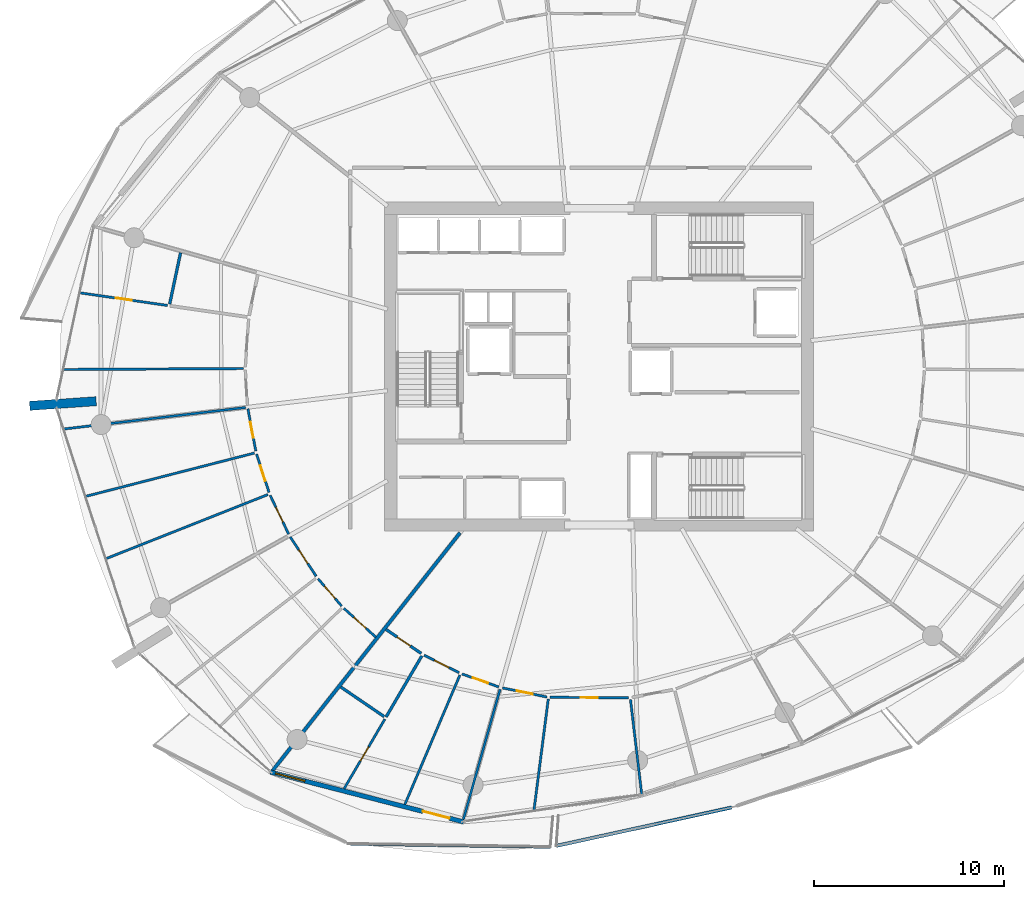
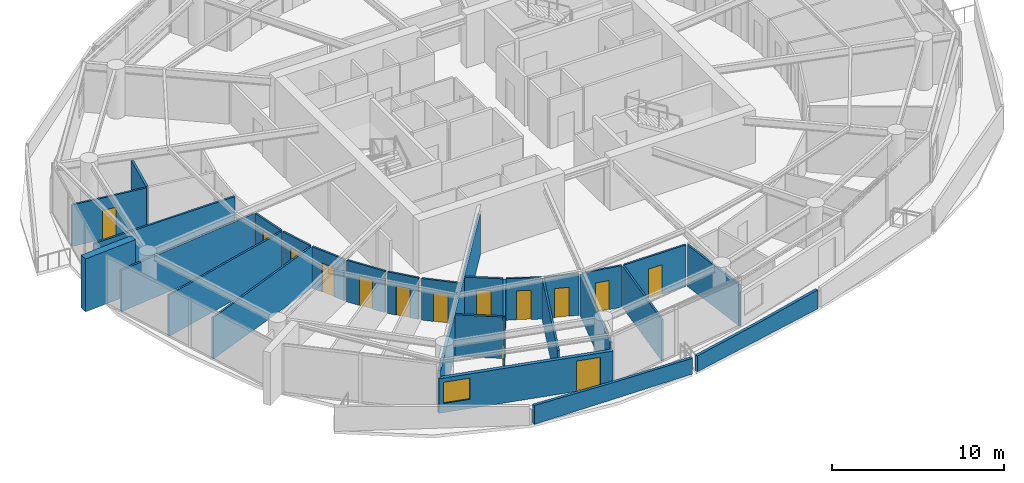
# One storey, part 11 of 21: 29 walls, 14 doors, 1 window, 15 openings.
"""IFC4 building model written with IfcOpenShell, lengths in metres."""

from ifc_helpers import new_model, si_unit, direction, frame, frame_2d, origin, place, context, subcontext, project, spatial, polyline, rectangle, outline, extrude, material, layer, layer_set, type_object, element, fill, save


model = new_model("IFC4")

# Units and contexts
model_context = context("Model", 3, precision=1e-05, world=origin(), true_north=direction((0.0, 1.0)))
body_context = subcontext(model_context, "Body", "Model", "MODEL_VIEW")
ifc_project = project(units=[si_unit("LENGTHUNIT", "METRE"), si_unit("AREAUNIT", "SQUARE_METRE"), si_unit("VOLUMEUNIT", "CUBIC_METRE"), si_unit("PLANEANGLEUNIT", "RADIAN"), si_unit("MASSUNIT", "GRAM", prefix="KILO")], contexts=[model_context])

# Site, building, storey
site_placement = place(None, origin())
site = spatial("IfcSite", under=ifc_project, at=site_placement, CompositionType="ELEMENT")
building_placement = place(site_placement, origin())
building = spatial("IfcBuilding", under=site, at=building_placement, Name="Kazma Halo Residences", CompositionType="ELEMENT")
storey_placement = place(building_placement, frame((0.0, 0.0, 187.800048828125)))
storey = spatial("IfcBuildingStorey", under=building, at=storey_placement, Name="L47", CompositionType="ELEMENT", Elevation=187.800048828125)

# Walls
ifc_material_1 = material(Name="White Concrete C50/60 Balustrade", Category="concrete")
ifc_layer_1 = layer(ifc_material_1, 0.179931640625)
ifc_layer_set_1 = layer_set([ifc_layer_1], Name="White Concrete C50/60 Balustrade")
wall_type_1 = type_object("IfcWallType", Name="WL-BAL-WAVE-180", PredefinedType="PARAPET", material=ifc_layer_set_1)
wall_1_placement = place(storey_placement, frame((35.343994140625, 16.924072265625, 0.0), z_axis=(0.0, 0.0, 1.0), x_axis=(0.999879009424, -0.015555272861, 0.0)))
element("IfcWall", 1, at=wall_1_placement, inside=storey, type_object=wall_type_1, Name="L47 white wave balustrade wall SW.2", PredefinedType="PARAPET", context=body_context, shape_type="SweptSolid", body=[
    extrude(outline(polyline([(0.0, 0.0), (10.515625, 0.0), (10.515625, 1.119873046875), (5.2578125, 1.181884765625), (0.0, 1.347900390625), (0.0, 0.0)])), frame((0.0, 0.08984375, 0.0), z_axis=(0.0, -1.0, 0.0), x_axis=(1.0, 0.0, 0.0)), (0.0, 0.0, 1.0), 0.179931640625),
])
wall_2_placement = place(storey_placement, frame((46.172119140625, 16.807373046875, 0.0), z_axis=(0.0, 0.0, 1.0), x_axis=(0.976834914213, 0.213994276499, 0.0)))
element("IfcWall", 2, at=wall_2_placement, inside=storey, type_object=wall_type_1, Name="L47 white wave balustrade wall SSE.1", PredefinedType="PARAPET", context=body_context, shape_type="SweptSolid", body=[
    extrude(outline(polyline([(0.0, 0.0), (9.449951171875, 0.0), (9.44970703125, 1.347900390625), (4.724853515625, 1.181884765625), (0.0, 1.119873046875), (0.0, 0.0)])), frame((0.0, 0.08984375, 0.0), z_axis=(0.0, -1.0, 0.0), x_axis=(1.0, 0.0, 0.0)), (0.0, 0.0, 1.0), 0.179931640625),
])
ifc_material_2 = material(Name="Pale Concrete C60/75", Category="concrete")
ifc_layer_2 = layer(ifc_material_2, 0.47998046875)
ifc_layer_set_2 = layer_set([ifc_layer_2], Name="Pale Concrete C60/75")
wall_type_2 = type_object("IfcWallType", Name="WL-BLADE-480", PredefinedType="SOLIDWALL", material=ifc_layer_set_2)
wall_3_placement = place(storey_placement, frame((21.9873046875, 40.180908203125, 0.0), z_axis=(0.0, 0.0, 1.0), x_axis=(-0.997568676264, -0.069690287244, 0.0)))
element("IfcWall", 3, at=wall_3_placement, inside=storey, type_object=wall_type_2, Name="L47 pale concrete structural blade fin wall BW-02", PredefinedType="SOLIDWALL", context=body_context, shape_type="SweptSolid", body=[
    extrude(rectangle(XDim=3.499755859375, YDim=0.47998046875, at=frame_2d((1.75, 0.0))), origin(), (0.0, 0.0, 1.0), 3.75),
])
ifc_material_3 = material(Name="Acoustic Twin-Stud Gypsum")
ifc_layer_3 = layer(ifc_material_3, 0.179931640625)
ifc_layer_set_3 = layer_set([ifc_layer_3], Name="Acoustic Twin-Stud Gypsum")
wall_type_3 = type_object("IfcWallType", Name="WL-DEM-180", PredefinedType="PARTITIONING", material=ifc_layer_set_3)
wall_4_placement = place(storey_placement, frame((41.11279296875, 33.263671875, 0.0), z_axis=(0.0, 0.0, 1.0), x_axis=(-0.619089233189, -0.785320648748, 0.0)))
element("IfcWall", 4, at=wall_4_placement, inside=storey, type_object=wall_type_3, Name="L47 apartment demising radial wall 09", PredefinedType="PARTITIONING", context=body_context, shape_type="SweptSolid", body=[
    extrude(rectangle(XDim=16.005615234375, YDim=0.179931640625, at=frame_2d((8.0029296875, 0.0))), origin(), (0.0, 0.0, 1.0), 2.93994140625),
])

# Wall, openings, door, window
ifc_material_4 = material(Name="Insulated Pale-Metal Composite Wall")
ifc_layer_4 = layer(ifc_material_4, 0.239990234375)
ifc_layer_set_4 = layer_set([ifc_layer_4], Name="Insulated Pale-Metal Composite Wall")
wall_type_4 = type_object("IfcWallType", Name="WL-EXT-HOST-240", PredefinedType="SOLIDWALL", material=ifc_layer_set_4)
wall_5_placement = place(storey_placement, frame((31.139892578125, 20.68701171875, 0.0), z_axis=(0.0, 0.0, 1.0), x_axis=(0.968374028006, -0.249502989727, 0.0)))
wall_5 = element("IfcWall", 5, at=wall_5_placement, inside=storey, type_object=wall_type_4, Name="L47 exterior terrace-access wall B10", PredefinedType="SOLIDWALL", context=body_context, shape_type="SweptSolid", body=[
    extrude(rectangle(XDim=10.494384765625, YDim=0.239990234375, at=frame_2d((5.2470703125, 0.0))), origin(), (0.0, 0.0, 1.0), 2.449951171875),
])
opening_1_placement = place(wall_5_placement, frame((8.2744140625, 0.0, 0.0)))
opening_1 = element("IfcOpeningElement", 6, at=opening_1_placement, cuts=wall_5, Name="Opening DTR-1600", PredefinedType="OPENING", context=body_context, shape_type="SweptSolid", body=[
    extrude(rectangle(XDim=1.449951171875, YDim=2.14990234375, at=frame_2d((0.72509765625, 1.074951171875))), frame((0.0, 0.1298828125, 0.0), z_axis=(0.0, -1.0, 0.0), x_axis=(1.0, 0.0, 0.0)), (0.0, 0.0, 1.0), 0.260009765625),
])
opening_2_placement = place(wall_5_placement, frame((0.280029296875, 0.0, 0.64990234375)))
opening_2 = element("IfcOpeningElement", 7, at=opening_2_placement, cuts=wall_5, Name="Opening W-1800", PredefinedType="OPENING", context=body_context, shape_type="SweptSolid", body=[
    extrude(rectangle(XDim=1.60009765625, YDim=1.5, at=frame_2d((0.800048828125, 0.75))), frame((0.0, 0.1298828125, 0.0), z_axis=(0.0, -1.0, 0.0), x_axis=(1.0, 0.0, 0.0)), (0.0, 0.0, 1.0), 0.260009765625),
])
ifc_material_5 = material(Name="Aluminium AW-6063 T6 Double-Glazed Terrace Door", Category="aluminium")
door_type_1 = type_object("IfcDoorType", Name="DR-EXT-TERR-1600", OperationType="NOTDEFINED", PredefinedType="DOOR", material=ifc_material_5)
door_1_placement = place(opening_1_placement, origin())
door_1 = element("IfcDoor", 8, at=door_1_placement, inside=storey, type_object=door_type_1, Name="L47 B10 balcony terrace door", OperationType="DOUBLE_DOOR_SLIDING", OverallHeight=2.14990234375, OverallWidth=1.449951171875, PredefinedType="DOOR", context=body_context, shape_type="SweptSolid", body=[
    extrude(rectangle(XDim=1.449951171875, YDim=2.14990234375, at=frame_2d((0.72509765625, 1.074951171875))), frame((0.0, 0.02490234375, 0.0), z_axis=(0.0, -1.0, 0.0), x_axis=(1.0, 0.0, 0.0)), (0.0, 0.0, 1.0), 0.050048828125),
])
fill(opening_1, door_1)
ifc_material_6 = material(Name="Clear Triple-Silver Low-E Glass in Aluminium AW-6063 T6 Frame", Category="aluminium")
window_type = type_object("IfcWindowType", Name="WIN-RES-1800", PartitioningType="DOUBLE_PANEL_VERTICAL", PredefinedType="WINDOW", material=ifc_material_6)
window_placement = place(opening_2_placement, origin())
window = element("IfcWindow", 9, at=window_placement, inside=storey, type_object=window_type, Name="L47 B10 apartment window", OverallHeight=1.5, OverallWidth=1.60009765625, PartitioningType="SINGLE_PANEL", PredefinedType="WINDOW", context=body_context, shape_type="SweptSolid", body=[
    extrude(rectangle(XDim=1.60009765625, YDim=1.5, at=frame_2d((0.800048828125, 0.75))), frame((0.0, 0.030029296875, 0.0), z_axis=(0.0, -1.0, 0.0), x_axis=(1.0, 0.0, 0.0)), (0.0, 0.0, 1.0), 0.06005859375),
])
fill(opening_2, window)

# Wall, opening, door
ifc_material_7 = material(Name="Gypsum Plasterboard Partition")
ifc_layer_5 = layer(ifc_material_7, 0.125)
ifc_layer_set_5 = layer_set([ifc_layer_5], Name="Gypsum Plasterboard Partition")
wall_type_5 = type_object("IfcWallType", Name="WL-PART-125", PredefinedType="PARTITIONING", material=ifc_layer_set_5)
wall_6_placement = place(storey_placement, frame((25.74267578125, 45.21240234375, 0.0), z_axis=(0.0, 0.0, 1.0), x_axis=(-0.989750054304, 0.142810468819, 0.0)))
wall_6 = element("IfcWall", 10, at=wall_6_placement, inside=storey, type_object=wall_type_5, Name="L47 Apartment 2 Household Store Room partition wall", PredefinedType="PARTITIONING", context=body_context, shape_type="SweptSolid", body=[
    extrude(rectangle(XDim=4.64990234375, YDim=0.125, at=frame_2d((2.324951171875, 0.0))), origin(), (0.0, 0.0, 1.0), 2.93994140625),
])
opening_3_placement = place(wall_6_placement, frame((1.89990234375, 0.0, 0.0)))
opening_3 = element("IfcOpeningElement", 11, at=opening_3_placement, cuts=wall_6, Name="Opening DB-900", PredefinedType="OPENING", context=body_context, shape_type="SweptSolid", body=[
    extrude(rectangle(XDim=0.85009765625, YDim=2.06005859375, at=frame_2d((0.425048828125, 1.030029296875))), frame((0.0, 0.072509765625, 0.0), z_axis=(0.0, -1.0, 0.0), x_axis=(1.0, 0.0, 0.0)), (0.0, 0.0, 1.0), 0.14501953125),
])
ifc_material_8 = material(Name="Moisture-Sealed Timber Leaf", Category="wood")
door_type_2 = type_object("IfcDoorType", Name="DR-BTH-900", OperationType="NOTDEFINED", PredefinedType="DOOR", material=ifc_material_8)
door_2_placement = place(opening_3_placement, origin())
door_2 = element("IfcDoor", 12, at=door_2_placement, inside=storey, type_object=door_type_2, Name="L47 Apartment 2 Household Store Room door", OperationType="SINGLE_SWING_LEFT", OverallHeight=2.06005859375, OverallWidth=0.85009765625, PredefinedType="DOOR", context=body_context, shape_type="SweptSolid", body=[
    extrude(rectangle(XDim=0.85009765625, YDim=2.06005859375, at=frame_2d((0.425048828125, 1.030029296875))), frame((0.0, 0.02490234375, 0.0), z_axis=(0.0, -1.0, 0.0), x_axis=(1.0, 0.0, 0.0)), (0.0, 0.0, 1.0), 0.050048828125),
])
fill(opening_3, door_2)

# Walls
wall_7_placement = place(storey_placement, frame((29.732421875, 41.899169921875, 0.0), z_axis=(0.0, 0.0, 1.0), x_axis=(-0.9999847383, -0.00552477756, 0.0)))
element("IfcWall", 13, at=wall_7_placement, inside=storey, type_object=wall_type_5, Name="L47 Apartment 2 suite divider 6", PredefinedType="PARTITIONING", context=body_context, shape_type="SweptSolid", body=[
    extrude(rectangle(XDim=9.456787109375, YDim=0.125, at=frame_2d((4.728515625, 0.0))), origin(), (0.0, 0.0, 1.0), 2.93994140625),
])
wall_8_placement = place(storey_placement, frame((29.8486328125, 39.8515625, 0.0), z_axis=(0.0, 0.0, 1.0), x_axis=(-0.993068571817, -0.117536426992, 0.0)))
element("IfcWall", 14, at=wall_8_placement, inside=storey, type_object=wall_type_5, Name="L47 Apartment 2 radial partition 7", PredefinedType="PARTITIONING", context=body_context, shape_type="SweptSolid", body=[
    extrude(rectangle(XDim=9.6171875, YDim=0.125, at=frame_2d((4.80859375, 0.0))), origin(), (0.0, 0.0, 1.0), 2.93994140625),
])
for number, where, z_axis, x_axis, name in (
    (15, (30.305908203125, 37.456787109375, 0.0), (0.0, 0.0, 1.0), (-0.96858393767, -0.248686862718, 0.0), "L47 Apartment 2 bay wall 1 7"),
    (16, (31.014892578125, 35.275146484375, 0.0), (0.0, 0.0, 1.0), (-0.929776346652, -0.368124904355, 0.0), "L47 Apartment 2 bay wall 2 7"),
):
    element("IfcWall", number, at=place(storey_placement, frame(where, z_axis=z_axis, x_axis=x_axis)), inside=storey, type_object=wall_type_5, Name=name, PredefinedType="PARTITIONING", context=body_context, shape_type="SweptSolid", body=[
        extrude(rectangle(XDim=9.144775390625, YDim=0.125, at=frame_2d((4.572265625, 0.0))), origin(), (0.0, 0.0, 1.0), 2.93994140625),
    ])

# Wall, opening, door
wall_9_placement = place(storey_placement, frame((29.962646484375, 39.784912109375, 0.0), z_axis=(0.0, 0.0, 1.0), x_axis=(0.18352071691, -0.983015842428, 0.0)))
wall_9 = element("IfcWall", 17, at=wall_9_placement, inside=storey, type_object=wall_type_5, Name="L47 Apartment 2 Primary Bedroom hall wall", PredefinedType="PARTITIONING", context=body_context, shape_type="SweptSolid", body=[
    extrude(rectangle(XDim=2.265625, YDim=0.125, at=frame_2d((1.1328125, 0.0))), origin(), (0.0, 0.0, 1.0), 2.93994140625),
])
opening_4_placement = place(wall_9_placement, frame((0.707763671875, 0.0, 0.0)))
opening_4 = element("IfcOpeningElement", 18, at=opening_4_placement, cuts=wall_9, Name="Opening DB-900", PredefinedType="OPENING", context=body_context, shape_type="SweptSolid", body=[
    extrude(rectangle(XDim=0.85009765625, YDim=2.06005859375, at=frame_2d((0.425048828125, 1.030029296875))), frame((0.0, 0.072509765625, 0.0), z_axis=(0.0, -1.0, 0.0), x_axis=(1.0, 0.0, 0.0)), (0.0, 0.0, 1.0), 0.14501953125),
])
door_3_placement = place(opening_4_placement, origin())
door_3 = element("IfcDoor", 19, at=door_3_placement, inside=storey, type_object=door_type_2, Name="L47 Apartment 2 Primary Bedroom door", OperationType="SINGLE_SWING_RIGHT", OverallHeight=2.06005859375, OverallWidth=0.85009765625, PredefinedType="DOOR", context=body_context, shape_type="SweptSolid", body=[
    extrude(rectangle(XDim=0.85009765625, YDim=2.06005859375, at=frame_2d((0.425048828125, 1.030029296875))), frame((0.0, 0.02490234375, 0.0), z_axis=(0.0, -1.0, 0.0), x_axis=(1.0, 0.0, 0.0)), (0.0, 0.0, 1.0), 0.050048828125),
])
fill(opening_4, door_3)

wall_10_placement = place(storey_placement, frame((30.417724609375, 37.4033203125, 0.0), z_axis=(0.0, 0.0, 1.0), x_axis=(0.30900806035, -0.951059419089, 0.0)))
wall_10 = element("IfcWall", 20, at=wall_10_placement, inside=storey, type_object=wall_type_5, Name="L47 Apartment 2 Secondary Study hall wall", PredefinedType="PARTITIONING", context=body_context, shape_type="SweptSolid", body=[
    extrude(rectangle(XDim=2.123046875, YDim=0.125, at=frame_2d((1.0615234375, 0.0))), origin(), (0.0, 0.0, 1.0), 2.93994140625),
])
opening_5_placement = place(wall_10_placement, frame((0.636474609375, 0.0, 0.0)))
opening_5 = element("IfcOpeningElement", 21, at=opening_5_placement, cuts=wall_10, Name="Opening DB-900", PredefinedType="OPENING", context=body_context, shape_type="SweptSolid", body=[
    extrude(rectangle(XDim=0.85009765625, YDim=2.06005859375, at=frame_2d((0.425048828125, 1.030029296875))), frame((0.0, 0.072509765625, 0.0), z_axis=(0.0, -1.0, 0.0), x_axis=(1.0, 0.0, 0.0)), (0.0, 0.0, 1.0), 0.14501953125),
])
door_4_placement = place(opening_5_placement, origin())
door_4 = element("IfcDoor", 22, at=door_4_placement, inside=storey, type_object=door_type_2, Name="L47 Apartment 2 Secondary Study door", OperationType="SINGLE_SWING_LEFT", OverallHeight=2.06005859375, OverallWidth=0.85009765625, PredefinedType="DOOR", context=body_context, shape_type="SweptSolid", body=[
    extrude(rectangle(XDim=0.85009765625, YDim=2.06005859375, at=frame_2d((0.425048828125, 1.030029296875))), frame((0.0, 0.02490234375, 0.0), z_axis=(0.0, -1.0, 0.0), x_axis=(1.0, 0.0, 0.0)), (0.0, 0.0, 1.0), 0.050048828125),
])
fill(opening_5, door_4)

wall_11_placement = place(storey_placement, frame((31.1328125, 35.23583984375, 0.0), z_axis=(0.0, 0.0, 1.0), x_axis=(0.429406348011, -0.903111393067, 0.0)))
wall_11 = element("IfcWall", 23, at=wall_11_placement, inside=storey, type_object=wall_type_5, Name="L47 Apartment 2 East Bedroom hall wall", PredefinedType="PARTITIONING", context=body_context, shape_type="SweptSolid", body=[
    extrude(rectangle(XDim=2.26513671875, YDim=0.125, at=frame_2d((1.132568359375, 0.0))), origin(), (0.0, 0.0, 1.0), 2.93994140625),
])
opening_6_placement = place(wall_11_placement, frame((0.70751953125, 0.0, 0.0)))
opening_6 = element("IfcOpeningElement", 24, at=opening_6_placement, cuts=wall_11, Name="Opening DB-900", PredefinedType="OPENING", context=body_context, shape_type="SweptSolid", body=[
    extrude(rectangle(XDim=0.85009765625, YDim=2.06005859375, at=frame_2d((0.425048828125, 1.030029296875))), frame((0.0, 0.072509765625, 0.0), z_axis=(0.0, -1.0, 0.0), x_axis=(1.0, 0.0, 0.0)), (0.0, 0.0, 1.0), 0.14501953125),
])
door_5_placement = place(opening_6_placement, origin())
door_5 = element("IfcDoor", 25, at=door_5_placement, inside=storey, type_object=door_type_2, Name="L47 Apartment 2 East Bedroom door", OperationType="SINGLE_SWING_RIGHT", OverallHeight=2.06005859375, OverallWidth=0.85009765625, PredefinedType="DOOR", context=body_context, shape_type="SweptSolid", body=[
    extrude(rectangle(XDim=0.85009765625, YDim=2.06005859375, at=frame_2d((0.425048828125, 1.030029296875))), frame((0.0, 0.02490234375, 0.0), z_axis=(0.0, -1.0, 0.0), x_axis=(1.0, 0.0, 0.0)), (0.0, 0.0, 1.0), 0.050048828125),
])
fill(opening_6, door_5)

wall_12_placement = place(storey_placement, frame((32.183837890625, 33.051025390625, 0.0), z_axis=(0.0, 0.0, 1.0), x_axis=(0.550670678969, -0.834722590639, 0.0)))
wall_12 = element("IfcWall", 26, at=wall_12_placement, inside=storey, type_object=wall_type_5, Name="L47 Apartment 2 West Bedroom hall wall", PredefinedType="PARTITIONING", context=body_context, shape_type="SweptSolid", body=[
    extrude(rectangle(XDim=2.478759765625, YDim=0.125, at=frame_2d((1.2392578125, 0.0))), origin(), (0.0, 0.0, 1.0), 2.93994140625),
])
opening_7_placement = place(wall_12_placement, frame((0.814453125, 0.0, 0.0)))
opening_7 = element("IfcOpeningElement", 27, at=opening_7_placement, cuts=wall_12, Name="Opening DB-900", PredefinedType="OPENING", context=body_context, shape_type="SweptSolid", body=[
    extrude(rectangle(XDim=0.85009765625, YDim=2.06005859375, at=frame_2d((0.425048828125, 1.030029296875))), frame((0.0, 0.072509765625, 0.0), z_axis=(0.0, -1.0, 0.0), x_axis=(1.0, 0.0, 0.0)), (0.0, 0.0, 1.0), 0.14501953125),
])
door_6_placement = place(opening_7_placement, origin())
door_6 = element("IfcDoor", 28, at=door_6_placement, inside=storey, type_object=door_type_2, Name="L47 Apartment 2 West Bedroom door", OperationType="SINGLE_SWING_LEFT", OverallHeight=2.06005859375, OverallWidth=0.85009765625, PredefinedType="DOOR", context=body_context, shape_type="SweptSolid", body=[
    extrude(rectangle(XDim=0.85009765625, YDim=2.06005859375, at=frame_2d((0.425048828125, 1.030029296875))), frame((0.0, 0.02490234375, 0.0), z_axis=(0.0, -1.0, 0.0), x_axis=(1.0, 0.0, 0.0)), (0.0, 0.0, 1.0), 0.050048828125),
])
fill(opening_7, door_6)

wall_13_placement = place(storey_placement, frame((33.645263671875, 30.8544921875, 0.0), z_axis=(0.0, 0.0, 1.0), x_axis=(0.653892857974, -0.756587159745, 0.0)))
wall_13 = element("IfcWall", 29, at=wall_13_placement, inside=storey, type_object=wall_type_5, Name="L47 Apartment 2 North Study hall wall", PredefinedType="PARTITIONING", context=body_context, shape_type="SweptSolid", body=[
    extrude(rectangle(XDim=1.908935546875, YDim=0.125, at=frame_2d((0.95458984375, 0.0))), origin(), (0.0, 0.0, 1.0), 2.93994140625),
])
opening_8_placement = place(wall_13_placement, frame((0.529541015625, 0.0, 0.0)))
opening_8 = element("IfcOpeningElement", 30, at=opening_8_placement, cuts=wall_13, Name="Opening DB-900", PredefinedType="OPENING", context=body_context, shape_type="SweptSolid", body=[
    extrude(rectangle(XDim=0.85009765625, YDim=2.06005859375, at=frame_2d((0.425048828125, 1.030029296875))), frame((0.0, 0.072509765625, 0.0), z_axis=(0.0, -1.0, 0.0), x_axis=(1.0, 0.0, 0.0)), (0.0, 0.0, 1.0), 0.14501953125),
])
door_7_placement = place(opening_8_placement, origin())
door_7 = element("IfcDoor", 31, at=door_7_placement, inside=storey, type_object=door_type_2, Name="L47 Apartment 2 North Study door", OperationType="SINGLE_SWING_RIGHT", OverallHeight=2.06005859375, OverallWidth=0.85009765625, PredefinedType="DOOR", context=body_context, shape_type="SweptSolid", body=[
    extrude(rectangle(XDim=0.85009765625, YDim=2.06005859375, at=frame_2d((0.425048828125, 1.030029296875))), frame((0.0, 0.02490234375, 0.0), z_axis=(0.0, -1.0, 0.0), x_axis=(1.0, 0.0, 0.0)), (0.0, 0.0, 1.0), 0.050048828125),
])
fill(opening_8, door_7)

wall_14_placement = place(storey_placement, frame((35.00537109375, 29.296142578125, 0.0), z_axis=(0.0, 0.0, 1.0), x_axis=(0.742237514702, -0.670136905244, 0.0)))
wall_14 = element("IfcWall", 32, at=wall_14_placement, inside=storey, type_object=wall_type_5, Name="L47 Apartment 2 South Bedroom hall wall", PredefinedType="PARTITIONING", context=body_context, shape_type="SweptSolid", body=[
    extrude(rectangle(XDim=2.265380859375, YDim=0.125, at=frame_2d((1.1328125, 0.0))), origin(), (0.0, 0.0, 1.0), 2.93994140625),
])
opening_9_placement = place(wall_14_placement, frame((0.70751953125, 0.0, 0.0)))
opening_9 = element("IfcOpeningElement", 33, at=opening_9_placement, cuts=wall_14, Name="Opening DB-900", PredefinedType="OPENING", context=body_context, shape_type="SweptSolid", body=[
    extrude(rectangle(XDim=0.85009765625, YDim=2.06005859375, at=frame_2d((0.425048828125, 1.030029296875))), frame((0.0, 0.072509765625, 0.0), z_axis=(0.0, -1.0, 0.0), x_axis=(1.0, 0.0, 0.0)), (0.0, 0.0, 1.0), 0.14501953125),
])
door_8_placement = place(opening_9_placement, origin())
door_8 = element("IfcDoor", 34, at=door_8_placement, inside=storey, type_object=door_type_2, Name="L47 Apartment 2 South Bedroom door", OperationType="SINGLE_SWING_LEFT", OverallHeight=2.06005859375, OverallWidth=0.85009765625, PredefinedType="DOOR", context=body_context, shape_type="SweptSolid", body=[
    extrude(rectangle(XDim=0.85009765625, YDim=2.06005859375, at=frame_2d((0.425048828125, 1.030029296875))), frame((0.0, 0.02490234375, 0.0), z_axis=(0.0, -1.0, 0.0), x_axis=(1.0, 0.0, 0.0)), (0.0, 0.0, 1.0), 0.050048828125),
])
fill(opening_9, door_8)

wall_15_placement = place(storey_placement, frame((37.15966796875, 23.47119140625, 0.0), z_axis=(0.0, 0.0, 1.0), x_axis=(-0.50496264881, -0.863141195464, 0.0)))
wall_15 = element("IfcWall", 35, at=wall_15_placement, inside=storey, type_object=wall_type_5, Name="L47 Apartment 3 Utility Laundry Room partition wall", PredefinedType="PARTITIONING", context=body_context, shape_type="SweptSolid", body=[
    extrude(rectangle(XDim=4.23974609375, YDim=0.125, at=frame_2d((2.119873046875, 0.0))), origin(), (0.0, 0.0, 1.0), 2.93994140625),
])
opening_10_placement = place(wall_15_placement, frame((1.69482421875, 0.0, 0.0)))
opening_10 = element("IfcOpeningElement", 36, at=opening_10_placement, cuts=wall_15, Name="Opening DB-900", PredefinedType="OPENING", context=body_context, shape_type="SweptSolid", body=[
    extrude(rectangle(XDim=0.85009765625, YDim=2.06005859375, at=frame_2d((0.425048828125, 1.030029296875))), frame((0.0, 0.072509765625, 0.0), z_axis=(0.0, -1.0, 0.0), x_axis=(1.0, 0.0, 0.0)), (0.0, 0.0, 1.0), 0.14501953125),
])
door_9_placement = place(opening_10_placement, origin())
door_9 = element("IfcDoor", 37, at=door_9_placement, inside=storey, type_object=door_type_2, Name="L47 Apartment 3 Utility Laundry Room door", OperationType="SINGLE_SWING_RIGHT", OverallHeight=2.06005859375, OverallWidth=0.85009765625, PredefinedType="DOOR", context=body_context, shape_type="SweptSolid", body=[
    extrude(rectangle(XDim=0.85009765625, YDim=2.06005859375, at=frame_2d((0.425048828125, 1.030029296875))), frame((0.0, 0.02490234375, 0.0), z_axis=(0.0, -1.0, 0.0), x_axis=(1.0, 0.0, 0.0)), (0.0, 0.0, 1.0), 0.050048828125),
])
fill(opening_10, door_9)

# Wall
wall_16_placement = place(storey_placement, frame((41.105224609375, 25.788330078125, 0.0), z_axis=(0.0, 0.0, 1.0), x_axis=(-0.391376512859, -0.92023063695, 0.0)))
element("IfcWall", 38, at=wall_16_placement, inside=storey, type_object=wall_type_5, Name="L47 Apartment 3 suite divider 9", PredefinedType="PARTITIONING", context=body_context, shape_type="SweptSolid", body=[
    extrude(rectangle(XDim=7.3857421875, YDim=0.125, at=frame_2d((3.69287109375, 0.0))), origin(), (0.0, 0.0, 1.0), 2.93994140625),
])

# Wall, opening, door
wall_17_placement = place(storey_placement, frame((39.2294921875, 26.83154296875, 0.0), z_axis=(0.0, 0.0, 1.0), x_axis=(0.893476437717, -0.449110070299, 0.0)))
wall_17 = element("IfcWall", 39, at=wall_17_placement, inside=storey, type_object=wall_type_5, Name="L47 Apartment 3 Gourmet Kitchen hall wall", PredefinedType="PARTITIONING", context=body_context, shape_type="SweptSolid", body=[
    extrude(rectangle(XDim=2.05859375, YDim=0.125, at=frame_2d((1.029296875, 0.0))), origin(), (0.0, 0.0, 1.0), 2.93994140625),
])
opening_11_placement = place(wall_17_placement, frame((0.604248046875, 0.0, 0.0)))
opening_11 = element("IfcOpeningElement", 40, at=opening_11_placement, cuts=wall_17, Name="Opening DB-900", PredefinedType="OPENING", context=body_context, shape_type="SweptSolid", body=[
    extrude(rectangle(XDim=0.85009765625, YDim=2.06005859375, at=frame_2d((0.425048828125, 1.030029296875))), frame((0.0, 0.072509765625, 0.0), z_axis=(0.0, -1.0, 0.0), x_axis=(1.0, 0.0, 0.0)), (0.0, 0.0, 1.0), 0.14501953125),
])
door_10_placement = place(opening_11_placement, origin())
door_10 = element("IfcDoor", 41, at=door_10_placement, inside=storey, type_object=door_type_2, Name="L47 Apartment 3 Gourmet Kitchen door", OperationType="SINGLE_SWING_LEFT", OverallHeight=2.06005859375, OverallWidth=0.85009765625, PredefinedType="DOOR", context=body_context, shape_type="SweptSolid", body=[
    extrude(rectangle(XDim=0.85009765625, YDim=2.06005859375, at=frame_2d((0.425048828125, 1.030029296875))), frame((0.0, 0.02490234375, 0.0), z_axis=(0.0, -1.0, 0.0), x_axis=(1.0, 0.0, 0.0)), (0.0, 0.0, 1.0), 0.050048828125),
])
fill(opening_11, door_10)

wall_18_placement = place(storey_placement, frame((41.2158203125, 25.844482421875, 0.0), z_axis=(0.0, 0.0, 1.0), x_axis=(0.943271616133, -0.332022074864, 0.0)))
wall_18 = element("IfcWall", 42, at=wall_18_placement, inside=storey, type_object=wall_type_5, Name="L47 Apartment 3 Primary Bedroom hall wall", PredefinedType="PARTITIONING", context=body_context, shape_type="SweptSolid", body=[
    extrude(rectangle(XDim=2.048583984375, YDim=0.125, at=frame_2d((1.0244140625, 0.0))), origin(), (0.0, 0.0, 1.0), 2.93994140625),
])
opening_12_placement = place(wall_18_placement, frame((0.599365234375, 0.0, 0.0)))
opening_12 = element("IfcOpeningElement", 43, at=opening_12_placement, cuts=wall_18, Name="Opening DB-900", PredefinedType="OPENING", context=body_context, shape_type="SweptSolid", body=[
    extrude(rectangle(XDim=0.85009765625, YDim=2.06005859375, at=frame_2d((0.425048828125, 1.030029296875))), frame((0.0, 0.072509765625, 0.0), z_axis=(0.0, -1.0, 0.0), x_axis=(1.0, 0.0, 0.0)), (0.0, 0.0, 1.0), 0.14501953125),
])
door_11_placement = place(opening_12_placement, origin())
door_11 = element("IfcDoor", 44, at=door_11_placement, inside=storey, type_object=door_type_2, Name="L47 Apartment 3 Primary Bedroom door", OperationType="SINGLE_SWING_RIGHT", OverallHeight=2.06005859375, OverallWidth=0.85009765625, PredefinedType="DOOR", context=body_context, shape_type="SweptSolid", body=[
    extrude(rectangle(XDim=0.85009765625, YDim=2.06005859375, at=frame_2d((0.425048828125, 1.030029296875))), frame((0.0, 0.02490234375, 0.0), z_axis=(0.0, -1.0, 0.0), x_axis=(1.0, 0.0, 0.0)), (0.0, 0.0, 1.0), 0.050048828125),
])
fill(opening_12, door_11)

# Walls
wall_19_placement = place(storey_placement, frame((43.21533203125, 25.034912109375, 0.0), z_axis=(0.0, 0.0, 1.0), x_axis=(-0.271440563871, -0.962455204301, 0.0)))
element("IfcWall", 45, at=wall_19_placement, inside=storey, type_object=wall_type_5, Name="L47 Apartment 3 radial partition 10", PredefinedType="PARTITIONING", context=body_context, shape_type="SweptSolid", body=[
    extrude(rectangle(XDim=7.10009765625, YDim=0.125, at=frame_2d((3.550048828125, 0.0))), origin(), (0.0, 0.0, 1.0), 2.93994140625),
])
wall_20_placement = place(storey_placement, frame((45.750732421875, 24.527099609375, 0.0), z_axis=(0.0, 0.0, 1.0), x_axis=(-0.127671016766, -0.991816571488, 0.0)))
element("IfcWall", 46, at=wall_20_placement, inside=storey, type_object=wall_type_5, Name="L47 Apartment 3 mid-bay wall 10", PredefinedType="PARTITIONING", context=body_context, shape_type="SweptSolid", body=[
    extrude(rectangle(XDim=5.906982421875, YDim=0.125, at=frame_2d((2.95361328125, 0.0))), origin(), (0.0, 0.0, 1.0), 2.93994140625),
])

# Wall, opening, door
wall_21_placement = place(storey_placement, frame((43.340576171875, 25.111083984375, 0.0), z_axis=(0.0, 0.0, 1.0), x_axis=(0.97975954564, -0.200178002605, 0.0)))
wall_21 = element("IfcWall", 47, at=wall_21_placement, inside=storey, type_object=wall_type_5, Name="L47 Apartment 3 Primary Bedroom hall wall", PredefinedType="PARTITIONING", context=body_context, shape_type="SweptSolid", body=[
    extrude(rectangle(XDim=2.3916015625, YDim=0.125, at=frame_2d((1.19580078125, 0.0))), origin(), (0.0, 0.0, 1.0), 2.93994140625),
])
opening_13_placement = place(wall_21_placement, frame((0.77099609375, 0.0, 0.0)))
opening_13 = element("IfcOpeningElement", 48, at=opening_13_placement, cuts=wall_21, Name="Opening DB-900", PredefinedType="OPENING", context=body_context, shape_type="SweptSolid", body=[
    extrude(rectangle(XDim=0.85009765625, YDim=2.06005859375, at=frame_2d((0.425048828125, 1.030029296875))), frame((0.0, 0.072509765625, 0.0), z_axis=(0.0, -1.0, 0.0), x_axis=(1.0, 0.0, 0.0)), (0.0, 0.0, 1.0), 0.14501953125),
])
door_12_placement = place(opening_13_placement, origin())
door_12 = element("IfcDoor", 49, at=door_12_placement, inside=storey, type_object=door_type_2, Name="L47 Apartment 3 Primary Bedroom door", OperationType="SINGLE_SWING_RIGHT", OverallHeight=2.06005859375, OverallWidth=0.85009765625, PredefinedType="DOOR", context=body_context, shape_type="SweptSolid", body=[
    extrude(rectangle(XDim=0.85009765625, YDim=2.06005859375, at=frame_2d((0.425048828125, 1.030029296875))), frame((0.0, 0.02490234375, 0.0), z_axis=(0.0, -1.0, 0.0), x_axis=(1.0, 0.0, 0.0)), (0.0, 0.0, 1.0), 0.050048828125),
])
fill(opening_13, door_12)

wall_22_placement = place(storey_placement, frame((45.84228515625, 24.615966796875, 0.0), z_axis=(0.0, 0.0, 1.0), x_axis=(0.999987001814, -0.00509864719, 0.0)))
wall_22 = element("IfcWall", 50, at=wall_22_placement, inside=storey, type_object=wall_type_5, Name="L47 Apartment 3 Secondary Bedroom hall wall", PredefinedType="PARTITIONING", context=body_context, shape_type="SweptSolid", body=[
    extrude(rectangle(XDim=4.117919921875, YDim=0.125, at=frame_2d((2.05908203125, 0.0))), origin(), (0.0, 0.0, 1.0), 2.93994140625),
])
opening_14_placement = place(wall_22_placement, frame((1.60888671875, 0.0, 0.0)))
opening_14 = element("IfcOpeningElement", 51, at=opening_14_placement, cuts=wall_22, Name="Opening DI-950", PredefinedType="OPENING", context=body_context, shape_type="SweptSolid", body=[
    extrude(rectangle(XDim=0.89990234375, YDim=2.080078125, at=frame_2d((0.449951171875, 1.0400390625))), frame((0.0, 0.072509765625, 0.0), z_axis=(0.0, -1.0, 0.0), x_axis=(1.0, 0.0, 0.0)), (0.0, 0.0, 1.0), 0.14501953125),
])
ifc_material_9 = material(Name="Timber Veneer Flush Leaf", Category="wood")
door_type_3 = type_object("IfcDoorType", Name="DR-INT-950", OperationType="NOTDEFINED", PredefinedType="DOOR", material=ifc_material_9)
door_13_placement = place(opening_14_placement, origin())
door_13 = element("IfcDoor", 52, at=door_13_placement, inside=storey, type_object=door_type_3, Name="L47 Apartment 3 Secondary Bedroom door", OperationType="SINGLE_SWING_LEFT", OverallHeight=2.080078125, OverallWidth=0.89990234375, PredefinedType="DOOR", context=body_context, shape_type="SweptSolid", body=[
    extrude(rectangle(XDim=0.89990234375, YDim=2.080078125, at=frame_2d((0.449951171875, 1.0400390625))), frame((0.0, 0.02490234375, 0.0), z_axis=(0.0, -1.0, 0.0), x_axis=(1.0, 0.0, 0.0)), (0.0, 0.0, 1.0), 0.050048828125),
])
fill(opening_14, door_13)

# Walls
wall_23_placement = place(storey_placement, frame((50.072021484375, 24.4951171875, 0.0), z_axis=(0.0, 0.0, 1.0), x_axis=(0.11748042549, -0.993075198375, 0.0)))
element("IfcWall", 53, at=wall_23_placement, inside=storey, type_object=wall_type_5, Name="L47 Apartment 3 radial partition 11", PredefinedType="PARTITIONING", context=body_context, shape_type="SweptSolid", body=[
    extrude(rectangle(XDim=5.00830078125, YDim=0.125, at=frame_2d((2.504150390625, 0.0))), origin(), (0.0, 0.0, 1.0), 2.93994140625),
])
ifc_material_10 = material(Name="Moisture-Resistant Gypsum")
ifc_layer_6 = layer(ifc_material_10, 0.14990234375)
ifc_layer_set_6 = layer_set([ifc_layer_6], Name="Moisture-Resistant Gypsum")
wall_type_6 = type_object("IfcWallType", Name="WL-WET-150", PredefinedType="PARTITIONING", material=ifc_layer_set_6)
wall_24_placement = place(storey_placement, frame((26.422119140625, 47.98193359375, 0.0), z_axis=(0.0, 0.0, 1.0), x_axis=(-0.207573601633, -0.978219402744, 0.0)))
element("IfcWall", 54, at=wall_24_placement, inside=storey, type_object=wall_type_6, Name="L47 Apartment 2 Guest Bathroom back wall", PredefinedType="PARTITIONING", context=body_context, shape_type="SweptSolid", body=[
    extrude(rectangle(XDim=2.754638671875, YDim=0.14990234375, at=frame_2d((1.37744140625, 0.0))), origin(), (0.0, 0.0, 1.0), 2.93994140625),
])

# Wall, opening, door
wall_25_placement = place(storey_placement, frame((37.231689453125, 28.179443359375, 0.0), z_axis=(0.0, 0.0, 1.0), x_axis=(0.82617871593, -0.56340813745, 0.0)))
wall_25 = element("IfcWall", 55, at=wall_25_placement, inside=storey, type_object=wall_type_6, Name="L47 Apartment 3 Guest Bathroom hall wall", PredefinedType="PARTITIONING", context=body_context, shape_type="SweptSolid", body=[
    extrude(rectangle(XDim=2.230712890625, YDim=0.14990234375, at=frame_2d((1.115234375, 0.0))), origin(), (0.0, 0.0, 1.0), 2.93994140625),
])
opening_15_placement = place(wall_25_placement, frame((0.6904296875, 0.0, 0.0)))
opening_15 = element("IfcOpeningElement", 56, at=opening_15_placement, cuts=wall_25, Name="Opening DB-900", PredefinedType="OPENING", context=body_context, shape_type="SweptSolid", body=[
    extrude(rectangle(XDim=0.85009765625, YDim=2.06005859375, at=frame_2d((0.425048828125, 1.030029296875))), frame((0.0, 0.0849609375, 0.0), z_axis=(0.0, -1.0, 0.0), x_axis=(1.0, 0.0, 0.0)), (0.0, 0.0, 1.0), 0.169921875),
])
door_14_placement = place(opening_15_placement, origin())
door_14 = element("IfcDoor", 57, at=door_14_placement, inside=storey, type_object=door_type_2, Name="L47 Apartment 3 Guest Bathroom door", OperationType="SINGLE_SWING_LEFT", OverallHeight=2.06005859375, OverallWidth=0.85009765625, PredefinedType="DOOR", context=body_context, shape_type="SweptSolid", body=[
    extrude(rectangle(XDim=0.85009765625, YDim=2.06005859375, at=frame_2d((0.425048828125, 1.030029296875))), frame((0.0, 0.02490234375, 0.0), z_axis=(0.0, -1.0, 0.0), x_axis=(1.0, 0.0, 0.0)), (0.0, 0.0, 1.0), 0.050048828125),
])
fill(opening_15, door_14)

# Walls
wall_26_placement = place(storey_placement, frame((34.84814453125, 25.156005859375, 0.0), z_axis=(0.0, 0.0, 1.0), x_axis=(0.826199296751, -0.563377956657, 0.0)))
element("IfcWall", 58, at=wall_26_placement, inside=storey, type_object=wall_type_6, Name="L47 Apartment 3 Guest Bathroom back wall", PredefinedType="PARTITIONING", context=body_context, shape_type="SweptSolid", body=[
    extrude(rectangle(XDim=2.7626953125, YDim=0.14990234375, at=frame_2d((1.38134765625, 0.0))), origin(), (0.0, 0.0, 1.0), 2.93994140625),
])
wall_27_placement = place(storey_placement, frame((39.103759765625, 26.794189453125, 0.0), z_axis=(0.0, 0.0, 1.0), x_axis=(-0.504947897923, -0.863149824992, 0.0)))
element("IfcWall", 59, at=wall_27_placement, inside=storey, type_object=wall_type_6, Name="L47 Apartment 3 Guest Bathroom side wall", PredefinedType="PARTITIONING", context=body_context, shape_type="SweptSolid", body=[
    extrude(rectangle(XDim=3.719970703125, YDim=0.14990234375, at=frame_2d((1.85986328125, 0.0))), origin(), (0.0, 0.0, 1.0), 2.93994140625),
])

save(model, "model.ifc")
